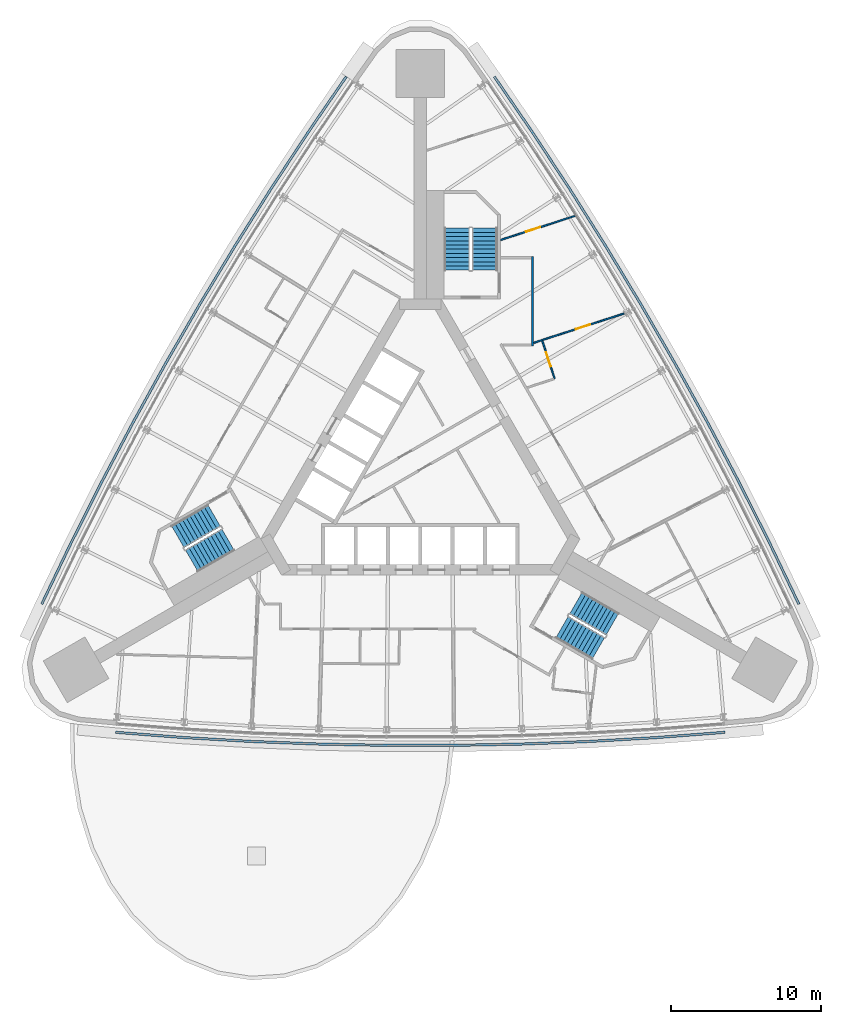
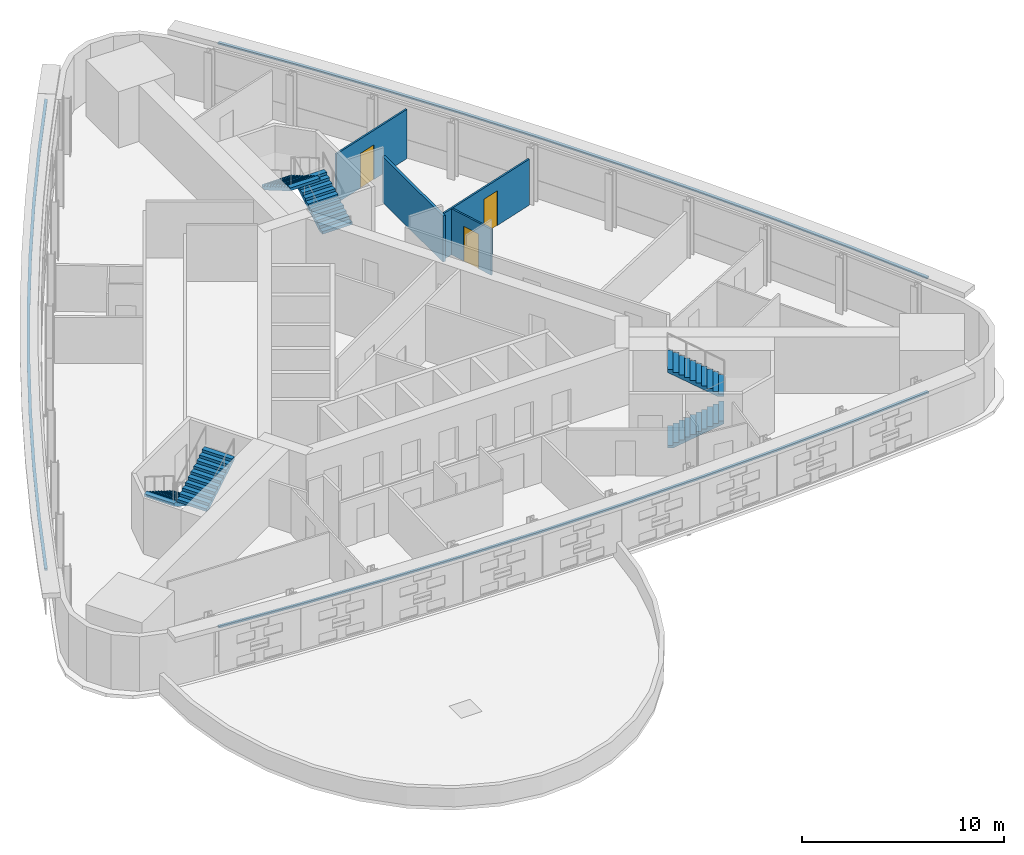
# One storey, part 13 of 15: 6 stair flights, 4 walls, 3 discrete accessories, 3 doors, 3 openings, 3 elements without a shape of their own.
"""IFC4 building model written with IfcOpenShell, lengths in metres."""

from ifc_helpers import new_model, si_unit, direction, frame, frame_2d, origin, place, context, subcontext, project, spatial, polyline, rectangle, outline, extrude, material, layer, layer_set, type_object, element, fill, aggregate, save


model = new_model("IFC4")

# Units and contexts
model_context = context("Model", 3, precision=1e-05, world=origin(), true_north=direction((0.0, 1.0)))
body_context = subcontext(model_context, "Body", "Model", "MODEL_VIEW")
ifc_project = project(units=[si_unit("LENGTHUNIT", "METRE"), si_unit("AREAUNIT", "SQUARE_METRE"), si_unit("VOLUMEUNIT", "CUBIC_METRE"), si_unit("PLANEANGLEUNIT", "RADIAN"), si_unit("MASSUNIT", "GRAM", prefix="KILO")], contexts=[model_context])

# Site, building, storey
site_placement = place(None, origin())
site = spatial("IfcSite", under=ifc_project, at=site_placement, CompositionType="ELEMENT")
building_placement = place(site_placement, origin())
building = spatial("IfcBuilding", under=site, at=building_placement, Name="Noor Cloister Tower", CompositionType="ELEMENT")
storey_placement = place(building_placement, frame((0.0, 0.0, 69.0)))
storey = spatial("IfcBuildingStorey", under=building, at=storey_placement, Name="L17", CompositionType="ELEMENT", Elevation=69.0)

# Wall
ifc_material_1 = material(Name="Gypsum board partition on steel studs, 150 mm", Category="steel")
ifc_layer_1 = layer(ifc_material_1, 0.14990234375)
ifc_layer_set_1 = layer_set([ifc_layer_1], Name="Flat wall 150")
wall_type_1 = type_object("IfcWallType", Name="Flat wall 150", PredefinedType="PARTITIONING", material=ifc_layer_set_1)
wall_1_placement = place(storey_placement, frame((7.460693359375, 8.306396484375, 0.0), z_axis=(0.0, 0.0, 1.0), x_axis=(0.0, 1.0, 0.0)))
element("IfcWall", 1, at=wall_1_placement, inside=storey, type_object=wall_type_1, Name="Flat wall 150 L17 005", PredefinedType="PARTITIONING", context=body_context, shape_type="SweptSolid", body=[
    extrude(rectangle(XDim=5.949951171875, YDim=0.14990234375, at=frame_2d((2.97509765625, 0.0))), origin(), (0.0, 0.0, 1.0), 2.778076171875),
])

# Wall, opening, door
ifc_material_2 = material(Name="Gypsum board partition on steel studs, 100 mm", Category="steel")
ifc_layer_2 = layer(ifc_material_2, 0.10009765625)
ifc_layer_set_2 = layer_set([ifc_layer_2], Name="Partition 100")
wall_type_2 = type_object("IfcWallType", Name="Partition 100", PredefinedType="PARTITIONING", material=ifc_layer_set_2)
wall_2_placement = place(storey_placement, frame((7.551025390625, 8.52880859375, 0.0), z_axis=(0.0, 0.0, 1.0), x_axis=(0.951171490306, 0.308662916511, 0.0)))
wall_2 = element("IfcWall", 2, at=wall_2_placement, inside=storey, type_object=wall_type_2, Name="Partition 100 L17 025", PredefinedType="PARTITIONING", context=body_context, shape_type="SweptSolid", body=[
    extrude(rectangle(XDim=6.301513671875, YDim=0.10009765625, at=frame_2d((3.15087890625, 0.0))), origin(), (0.0, 0.0, 1.0), 2.778076171875),
])
opening_1_placement = place(wall_2_placement, frame((2.935791015625, 0.0, 0.0)))
opening_1 = element("IfcOpeningElement", 3, at=opening_1_placement, cuts=wall_2, Name="Opening L17-017", PredefinedType="OPENING", context=body_context, shape_type="SweptSolid", body=[
    extrude(rectangle(XDim=1.0, YDim=2.10009765625, at=frame_2d((0.5, 1.050048828125))), frame((0.0, 0.06005859375, 0.0), z_axis=(0.0, -1.0, 0.0), x_axis=(1.0, 0.0, 0.0)), (0.0, 0.0, 1.0), 0.1201171875),
])
ifc_material_3 = material(Name="Timber door leaf with steel frame", Category="steel")
door_type = type_object("IfcDoorType", Name="Interior door 1000", OperationType="NOTDEFINED", PredefinedType="DOOR", material=ifc_material_3)
door_1_placement = place(opening_1_placement, origin())
door_1 = element("IfcDoor", 4, at=door_1_placement, inside=storey, type_object=door_type, Name="Interior door 1000 L17-017", OperationType="SINGLE_SWING_RIGHT", OverallHeight=2.10009765625, OverallWidth=1.0, PredefinedType="DOOR", context=body_context, shape_type="SweptSolid", body=[
    extrude(rectangle(XDim=1.0, YDim=2.10009765625, at=frame_2d((0.5, 1.050048828125))), frame((0.0, 0.02490234375, 0.0), z_axis=(0.0, -1.0, 0.0), x_axis=(1.0, 0.0, 0.0)), (0.0, 0.0, 1.0), 0.050048828125),
])
fill(opening_1, door_1)

wall_3_placement = place(storey_placement, frame((5.35107421875, 15.368896484375, 0.0), z_axis=(0.0, 0.0, 1.0), x_axis=(0.951165555735, 0.308681203807, 0.0)))
wall_3 = element("IfcWall", 5, at=wall_3_placement, inside=storey, type_object=wall_type_2, Name="Partition 100 L17 028", PredefinedType="PARTITIONING", context=body_context, shape_type="SweptSolid", body=[
    extrude(rectangle(XDim=5.208984375, YDim=0.10009765625, at=frame_2d((2.6044921875, 0.0))), origin(), (0.0, 0.0, 1.0), 2.97412109375),
])
opening_2_placement = place(wall_3_placement, frame((1.76611328125, 0.0, 0.0)))
opening_2 = element("IfcOpeningElement", 6, at=opening_2_placement, cuts=wall_3, Name="Opening L17-019", PredefinedType="OPENING", context=body_context, shape_type="SweptSolid", body=[
    extrude(rectangle(XDim=1.0, YDim=2.10009765625, at=frame_2d((0.5, 1.050048828125))), frame((0.0, 0.06005859375, 0.0), z_axis=(0.0, -1.0, 0.0), x_axis=(1.0, 0.0, 0.0)), (0.0, 0.0, 1.0), 0.1201171875),
])
door_2_placement = place(opening_2_placement, origin())
door_2 = element("IfcDoor", 7, at=door_2_placement, inside=storey, type_object=door_type, Name="Interior door 1000 L17-019", OperationType="SINGLE_SWING_LEFT", OverallHeight=2.10009765625, OverallWidth=1.0, PredefinedType="DOOR", context=body_context, shape_type="SweptSolid", body=[
    extrude(rectangle(XDim=1.0, YDim=2.10009765625, at=frame_2d((0.5, 1.050048828125))), frame((0.0, 0.02490234375, 0.0), z_axis=(0.0, -1.0, 0.0), x_axis=(1.0, 0.0, 0.0)), (0.0, 0.0, 1.0), 0.050048828125),
])
fill(opening_2, door_2)

wall_4_placement = place(storey_placement, frame((8.9384765625, 6.140380859375, 0.0), z_axis=(0.0, 0.0, 1.0), x_axis=(-0.308644385593, 0.951177503541, 0.0)))
wall_4 = element("IfcWall", 8, at=wall_4_placement, inside=storey, type_object=wall_type_2, Name="Partition 100 L17 031", PredefinedType="PARTITIONING", context=body_context, shape_type="SweptSolid", body=[
    extrude(rectangle(XDim=2.64990234375, YDim=0.10009765625, at=frame_2d((1.324951171875, 0.0))), origin(), (0.0, 0.0, 1.0), 2.778076171875),
])
opening_3_placement = place(wall_4_placement, frame((0.85009765625, 0.0, 0.0)))
opening_3 = element("IfcOpeningElement", 9, at=opening_3_placement, cuts=wall_4, Name="Opening L17-021", PredefinedType="OPENING", context=body_context, shape_type="SweptSolid", body=[
    extrude(rectangle(XDim=1.0, YDim=2.10009765625, at=frame_2d((0.5, 1.050048828125))), frame((0.0, 0.06005859375, 0.0), z_axis=(0.0, -1.0, 0.0), x_axis=(1.0, 0.0, 0.0)), (0.0, 0.0, 1.0), 0.1201171875),
])
door_3_placement = place(opening_3_placement, origin())
door_3 = element("IfcDoor", 10, at=door_3_placement, inside=storey, type_object=door_type, Name="Interior door 1000 L17-021", OperationType="SINGLE_SWING_RIGHT", OverallHeight=2.10009765625, OverallWidth=1.0, PredefinedType="DOOR", context=body_context, shape_type="SweptSolid", body=[
    extrude(rectangle(XDim=1.0, YDim=2.10009765625, at=frame_2d((0.5, 1.050048828125))), frame((0.0, 0.02490234375, 0.0), z_axis=(0.0, -1.0, 0.0), x_axis=(1.0, 0.0, 0.0)), (0.0, 0.0, 1.0), 0.050048828125),
])
fill(opening_3, door_3)

# Stair, stair flights
ifc_material_4 = material(Name="Concrete C40/50", Category="concrete")
stair_type = type_object("IfcStairType", Name="Exit stair 22 risers", PredefinedType="HALF_TURN_STAIR", material=ifc_material_4)
stair_1_placement = place(storey_placement, origin())
stair_1 = element("IfcStair", 11, at=stair_1_placement, inside=storey, type_object=stair_type, Name="Exit stair ST1 L17", PredefinedType="HALF_TURN_STAIR")
ifc_material_5 = material(Name="Concrete C40/50", Category="concrete")
stair_flight_type = type_object("IfcStairFlightType", Name="Exit stair flight", PredefinedType="STRAIGHT", material=ifc_material_5)
stair_flight_1_placement = place(storey_placement, frame((4.28564453125, 13.3564453125, 0.0), z_axis=(0.0, 0.0, 1.0), x_axis=(0.0, 1.0, 0.0)))
stair_flight_1 = element("IfcStairFlight", 12, at=stair_flight_1_placement, type_object=stair_flight_type, Name="ST1 flight 1", NumberOfRisers=11, NumberOfTreads=10, PredefinedType="STRAIGHT", RiserHeight=0.163636364, TreadLength=0.28, context=body_context, shape_type="SweptSolid", body=[
    extrude(outline(polyline([(0.0, 0.0), (0.0, 0.16357421875), (0.280029296875, 0.16357421875), (0.280029296875, 0.327392578125), (0.56005859375, 0.327392578125), (0.56005859375, 0.490966796875), (0.840087890625, 0.490966796875), (0.840087890625, 0.654541015625), (1.1201171875, 0.654541015625), (1.1201171875, 0.818115234375), (1.39990234375, 0.818115234375), (1.39990234375, 0.98193359375), (1.679931640625, 0.98193359375), (1.679931640625, 1.1455078125), (1.9599609375, 1.1455078125), (1.9599609375, 1.30908203125), (2.239990234375, 1.30908203125), (2.239990234375, 1.47265625), (2.52001953125, 1.47265625), (2.52001953125, 1.636474609375), (2.800048828125, 1.636474609375), (2.800048828125, 1.800048828125), (2.800048828125, 1.462646484375), (0.297119140625, 0.0), (0.0, 0.0)])), frame((0.0, 0.85009765625, 0.0), z_axis=(0.0, -1.0, 0.0), x_axis=(1.0, 0.0, 0.0)), (0.0, 0.0, 1.0), 1.699951171875),
])
stair_flight_2_placement = place(storey_placement, frame((2.435546875, 16.156494140625, 1.800048828125), z_axis=(0.0, 0.0, 1.0), x_axis=(0.0, -1.0, 0.0)))
stair_flight_2 = element("IfcStairFlight", 13, at=stair_flight_2_placement, type_object=stair_flight_type, Name="ST1 flight 2", NumberOfRisers=11, NumberOfTreads=10, PredefinedType="STRAIGHT", RiserHeight=0.163636364, TreadLength=0.28, context=body_context, shape_type="SweptSolid", body=[
    extrude(outline(polyline([(0.0, 0.0), (0.0, 0.16357421875), (0.280029296875, 0.16357421875), (0.280029296875, 0.327392578125), (0.56005859375, 0.327392578125), (0.56005859375, 0.490966796875), (0.840087890625, 0.490966796875), (0.840087890625, 0.654541015625), (1.1201171875, 0.654541015625), (1.1201171875, 0.818115234375), (1.39990234375, 0.818115234375), (1.39990234375, 0.98193359375), (1.679931640625, 0.98193359375), (1.679931640625, 1.1455078125), (1.9599609375, 1.1455078125), (1.9599609375, 1.30908203125), (2.239990234375, 1.30908203125), (2.239990234375, 1.47265625), (2.52001953125, 1.47265625), (2.52001953125, 1.636474609375), (2.800048828125, 1.636474609375), (2.800048828125, 1.800048828125), (2.800048828125, 1.462646484375), (0.297119140625, 0.0), (0.0, 0.0)])), frame((0.0, 0.85009765625, 0.0), z_axis=(0.0, -1.0, 0.0), x_axis=(1.0, 0.0, 0.0)), (0.0, 0.0, 1.0), 1.699951171875),
])
aggregate(stair_1, [stair_flight_1, stair_flight_2])

stair_2_placement = place(storey_placement, origin())
stair_2 = element("IfcStair", 14, at=stair_2_placement, inside=storey, type_object=stair_type, Name="Exit stair ST2 L17", PredefinedType="HALF_TURN_STAIR")
stair_flight_3_placement = place(storey_placement, frame((-13.709716796875, -2.966796875, 0.0), z_axis=(0.0, 0.0, 1.0), x_axis=(-0.866025403784, -0.5, 0.0)))
stair_flight_3 = element("IfcStairFlight", 15, at=stair_flight_3_placement, type_object=stair_flight_type, Name="ST2 flight 1", NumberOfRisers=11, NumberOfTreads=10, PredefinedType="STRAIGHT", RiserHeight=0.163636364, TreadLength=0.28, context=body_context, shape_type="SweptSolid", body=[
    extrude(outline(polyline([(0.0, 0.0), (0.0, 0.16357421875), (0.280029296875, 0.16357421875), (0.280029296875, 0.327392578125), (0.56005859375, 0.327392578125), (0.56005859375, 0.490966796875), (0.840087890625, 0.490966796875), (0.840087890625, 0.654541015625), (1.1201171875, 0.654541015625), (1.1201171875, 0.818115234375), (1.39990234375, 0.818115234375), (1.39990234375, 0.98193359375), (1.679931640625, 0.98193359375), (1.679931640625, 1.1455078125), (1.9599609375, 1.1455078125), (1.9599609375, 1.30908203125), (2.239990234375, 1.30908203125), (2.239990234375, 1.47265625), (2.52001953125, 1.47265625), (2.52001953125, 1.636474609375), (2.800048828125, 1.636474609375), (2.800048828125, 1.800048828125), (2.800048828125, 1.462646484375), (0.297119140625, 0.0), (0.0, 0.0)])), frame((0.0, 0.85009765625, 0.0), z_axis=(0.0, -1.0, 0.0), x_axis=(1.0, 0.0, 0.0)), (0.0, 0.0, 1.0), 1.699951171875),
])
stair_flight_4_placement = place(storey_placement, frame((-15.209716796875, -5.968994140625, 1.800048828125), z_axis=(0.0, 0.0, 1.0), x_axis=(0.866025403784, 0.5, 0.0)))
stair_flight_4 = element("IfcStairFlight", 16, at=stair_flight_4_placement, type_object=stair_flight_type, Name="ST2 flight 2", NumberOfRisers=11, NumberOfTreads=10, PredefinedType="STRAIGHT", RiserHeight=0.163636364, TreadLength=0.28, context=body_context, shape_type="SweptSolid", body=[
    extrude(outline(polyline([(0.0, 0.0), (0.0, 0.16357421875), (0.280029296875, 0.16357421875), (0.280029296875, 0.327392578125), (0.56005859375, 0.327392578125), (0.56005859375, 0.490966796875), (0.840087890625, 0.490966796875), (0.840087890625, 0.654541015625), (1.1201171875, 0.654541015625), (1.1201171875, 0.818115234375), (1.39990234375, 0.818115234375), (1.39990234375, 0.98193359375), (1.679931640625, 0.98193359375), (1.679931640625, 1.1455078125), (1.9599609375, 1.1455078125), (1.9599609375, 1.30908203125), (2.239990234375, 1.30908203125), (2.239990234375, 1.47265625), (2.52001953125, 1.47265625), (2.52001953125, 1.636474609375), (2.800048828125, 1.636474609375), (2.800048828125, 1.800048828125), (2.800048828125, 1.462646484375), (0.297119140625, 0.0), (0.0, 0.0)])), frame((0.0, 0.85009765625, 0.0), z_axis=(0.0, -1.0, 0.0), x_axis=(1.0, 0.0, 0.0)), (0.0, 0.0, 1.0), 1.699951171875),
])
aggregate(stair_2, [stair_flight_3, stair_flight_4])

stair_3_placement = place(storey_placement, origin())
stair_3 = element("IfcStair", 17, at=stair_3_placement, inside=storey, type_object=stair_type, Name="Exit stair ST3 L17", PredefinedType="HALF_TURN_STAIR")
stair_flight_5_placement = place(storey_placement, frame((9.424072265625, -10.3896484375, 0.0), z_axis=(0.0, 0.0, 1.0), x_axis=(0.866025403784, -0.5, 0.0)))
stair_flight_5 = element("IfcStairFlight", 18, at=stair_flight_5_placement, type_object=stair_flight_type, Name="ST3 flight 1", NumberOfRisers=11, NumberOfTreads=10, PredefinedType="STRAIGHT", RiserHeight=0.163636364, TreadLength=0.28, context=body_context, shape_type="SweptSolid", body=[
    extrude(outline(polyline([(0.0, 0.0), (0.0, 0.16357421875), (0.280029296875, 0.16357421875), (0.280029296875, 0.327392578125), (0.56005859375, 0.327392578125), (0.56005859375, 0.490966796875), (0.840087890625, 0.490966796875), (0.840087890625, 0.654541015625), (1.1201171875, 0.654541015625), (1.1201171875, 0.818115234375), (1.39990234375, 0.818115234375), (1.39990234375, 0.98193359375), (1.679931640625, 0.98193359375), (1.679931640625, 1.1455078125), (1.9599609375, 1.1455078125), (1.9599609375, 1.30908203125), (2.239990234375, 1.30908203125), (2.239990234375, 1.47265625), (2.52001953125, 1.47265625), (2.52001953125, 1.636474609375), (2.800048828125, 1.636474609375), (2.800048828125, 1.800048828125), (2.800048828125, 1.462646484375), (0.297119140625, 0.0), (0.0, 0.0)])), frame((0.0, 0.85009765625, 0.0), z_axis=(0.0, -1.0, 0.0), x_axis=(1.0, 0.0, 0.0)), (0.0, 0.0, 1.0), 1.699951171875),
])
stair_flight_6_placement = place(storey_placement, frame((12.77392578125, -10.1875, 1.800048828125), z_axis=(0.0, 0.0, 1.0), x_axis=(-0.866025403784, 0.5, 0.0)))
stair_flight_6 = element("IfcStairFlight", 19, at=stair_flight_6_placement, type_object=stair_flight_type, Name="ST3 flight 2", NumberOfRisers=11, NumberOfTreads=10, PredefinedType="STRAIGHT", RiserHeight=0.163636364, TreadLength=0.28, context=body_context, shape_type="SweptSolid", body=[
    extrude(outline(polyline([(0.0, 0.0), (0.0, 0.16357421875), (0.280029296875, 0.16357421875), (0.280029296875, 0.327392578125), (0.56005859375, 0.327392578125), (0.56005859375, 0.490966796875), (0.840087890625, 0.490966796875), (0.840087890625, 0.654541015625), (1.1201171875, 0.654541015625), (1.1201171875, 0.818115234375), (1.39990234375, 0.818115234375), (1.39990234375, 0.98193359375), (1.679931640625, 0.98193359375), (1.679931640625, 1.1455078125), (1.9599609375, 1.1455078125), (1.9599609375, 1.30908203125), (2.239990234375, 1.30908203125), (2.239990234375, 1.47265625), (2.52001953125, 1.47265625), (2.52001953125, 1.636474609375), (2.800048828125, 1.636474609375), (2.800048828125, 1.800048828125), (2.800048828125, 1.462646484375), (0.297119140625, 0.0), (0.0, 0.0)])), frame((0.0, 0.85009765625, 0.0), z_axis=(0.0, -1.0, 0.0), x_axis=(1.0, 0.0, 0.0)), (0.0, 0.0, 1.0), 1.699951171875),
])
aggregate(stair_3, [stair_flight_5, stair_flight_6])

# Discrete accessories
ifc_material_6 = material(Name="Stainless steel grade 316", Category="steel")
discrete_accessory_type = type_object("IfcDiscreteAccessoryType", Name="Stainless hanger rail", PredefinedType="BRACKET", material=ifc_material_6)
discrete_accessory_1_placement = place(storey_placement, frame((0.0, 0.0, 3.199951171875)))
element("IfcDiscreteAccessory", 20, at=discrete_accessory_1_placement, inside=storey, type_object=discrete_accessory_type, Name="Hanger rail L17", PredefinedType="BRACKET", context=body_context, shape_type="SweptSolid", body=[
    extrude(outline(polyline([(-4.986083984375, 26.281982421875), (-7.532958984375, 22.5654296875), (-10.010498046875, 18.796142578125), (-12.414794921875, 14.9794921875), (-14.7451171875, 11.117431640625), (-17.00048828125, 7.2109375), (-19.18017578125, 3.26171875), (-21.282958984375, -0.728759765625), (-23.30859375, -4.759033203125), (-25.25390625, -8.82275390625), (-25.109619140625, -8.891845703125), (-23.1650390625, -4.82958984375), (-21.140869140625, -0.802001953125), (-19.039306640625, 3.185791015625), (-16.861083984375, 7.13232421875), (-14.607421875, 11.0361328125), (-12.278564453125, 14.8955078125), (-9.8759765625, 18.70947265625), (-7.39990234375, 22.476318359375), (-4.854248046875, 26.19140625), (-4.986083984375, 26.281982421875)])), origin(), (0.0, 0.0, 1.0), 0.10009765625),
])
discrete_accessory_2_placement = place(storey_placement, frame((0.0, 0.0, 3.199951171875)))
element("IfcDiscreteAccessory", 21, at=discrete_accessory_2_placement, inside=storey, type_object=discrete_accessory_type, Name="Hanger rail L17", PredefinedType="BRACKET", context=body_context, shape_type="SweptSolid", body=[
    extrude(outline(polyline([(-20.267822265625, -17.458984375), (-15.77587890625, -17.806396484375), (-11.272705078125, -18.0673828125), (-6.765380859375, -18.2412109375), (-2.25537109375, -18.328369140625), (2.25537109375, -18.328369140625), (6.765380859375, -18.2412109375), (11.272705078125, -18.0673828125), (15.77587890625, -17.806396484375), (20.267822265625, -17.458984375), (20.25537109375, -17.299560546875), (15.76513671875, -17.646728515625), (11.264892578125, -17.907470703125), (6.7607421875, -18.081298828125), (2.25390625, -18.168212890625), (-2.25390625, -18.168212890625), (-6.7607421875, -18.081298828125), (-11.264892578125, -17.907470703125), (-15.76513671875, -17.646728515625), (-20.25537109375, -17.299560546875), (-20.267822265625, -17.458984375)])), origin(), (0.0, 0.0, 1.0), 0.10009765625),
])
discrete_accessory_3_placement = place(storey_placement, frame((0.0, 0.0, 3.199951171875)))
element("IfcDiscreteAccessory", 22, at=discrete_accessory_3_placement, inside=storey, type_object=discrete_accessory_type, Name="Hanger rail L17", PredefinedType="BRACKET", context=body_context, shape_type="SweptSolid", body=[
    extrude(outline(polyline([(25.25390625, -8.82275390625), (23.30859375, -4.759033203125), (21.282958984375, -0.728759765625), (19.18017578125, 3.26171875), (17.00048828125, 7.2109375), (14.7451171875, 11.117431640625), (12.414794921875, 14.9794921875), (10.010498046875, 18.796142578125), (7.532958984375, 22.5654296875), (4.986083984375, 26.281982421875), (4.854248046875, 26.19140625), (7.39990234375, 22.476318359375), (9.8759765625, 18.70947265625), (12.278564453125, 14.8955078125), (14.607421875, 11.0361328125), (16.861083984375, 7.13232421875), (19.039306640625, 3.185791015625), (21.140869140625, -0.802001953125), (23.1650390625, -4.82958984375), (25.109619140625, -8.891845703125), (25.25390625, -8.82275390625)])), origin(), (0.0, 0.0, 1.0), 0.10009765625),
])

save(model, "model.ifc")
